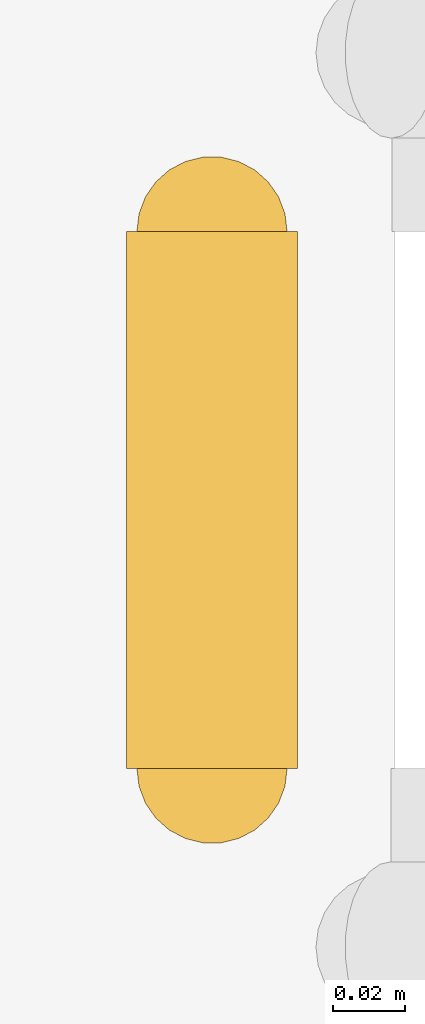
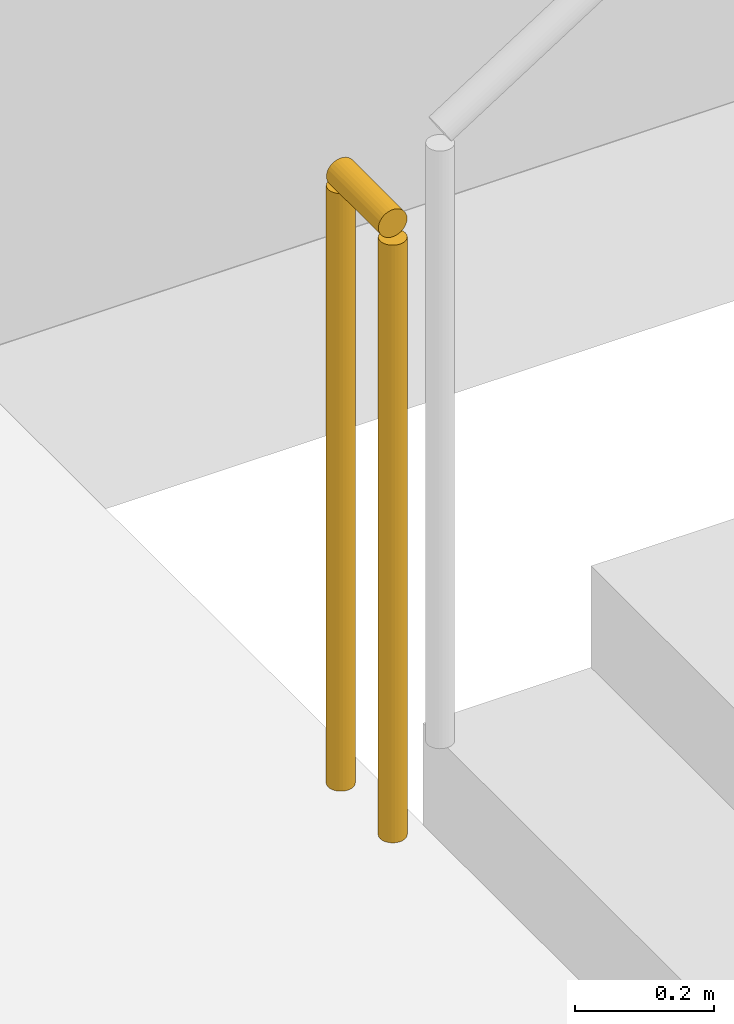
# One storey, part 8 of 11: 1 railing.
"""IFC4 building model written with IfcOpenShell, lengths in metres."""

from ifc_helpers import new_model, si_unit, direction, frame, origin, origin_2d, place, context, subcontext, project, spatial, circle, extrude, material, type_object, element, save


model = new_model("IFC4")

# Units and contexts
model_context = context("Model", 3, precision=1e-05, world=origin(), true_north=direction((0.0, 1.0)))
body_context = subcontext(model_context, "Body", "Model", "MODEL_VIEW")
ifc_project = project(units=[si_unit("LENGTHUNIT", "METRE"), si_unit("AREAUNIT", "SQUARE_METRE"), si_unit("VOLUMEUNIT", "CUBIC_METRE"), si_unit("PLANEANGLEUNIT", "RADIAN"), si_unit("MASSUNIT", "GRAM", prefix="KILO")], contexts=[model_context])

# Site, building, storey
site_placement = place(None, origin())
site = spatial("IfcSite", under=ifc_project, at=site_placement, CompositionType="ELEMENT")
building_placement = place(site_placement, origin())
building = spatial("IfcBuilding", under=site, at=building_placement, Name="Ostrand Prow Hotel Tower", CompositionType="ELEMENT")
storey_placement = place(building_placement, frame((0.0, 0.0, 24.0)))
storey = spatial("IfcBuildingStorey", under=building, at=storey_placement, Name="L04", CompositionType="ELEMENT", Elevation=24.0)

# Railing
ifc_material = material(Name="Painted steel", Category="steel")
railing_type = type_object("IfcRailingType", Name="Stair guard 1100", PredefinedType="GUARDRAIL", material=ifc_material)
railing_placement = place(storey_placement, frame((57.14990234375, -11.699951171875, 0.0)))
element("IfcRailing", 1, at=railing_placement, inside=storey, type_object=railing_type, Name="L04 ST2B stair guard 4", PredefinedType="GUARDRAIL", context=body_context, shape_type="SweptSolid", body=[
    extrude(circle(Radius=0.02392578125, at=origin_2d()), frame((0.0, 0.0, 1.076171875), z_axis=(0.0, 1.0, 0.0), x_axis=(-1.0, 0.0, 0.0)), (0.0, 0.0, 1.0), 0.14990234375),
    extrude(circle(Radius=0.02099609375, at=origin_2d()), origin(), (0.0, 0.0, 1.0), 1.052001953125),
    extrude(circle(Radius=0.02099609375, at=origin_2d()), frame((0.0, 0.14990234375, 0.0)), (0.0, 0.0, 1.0), 1.052001953125),
])

save(model, "model.ifc")
